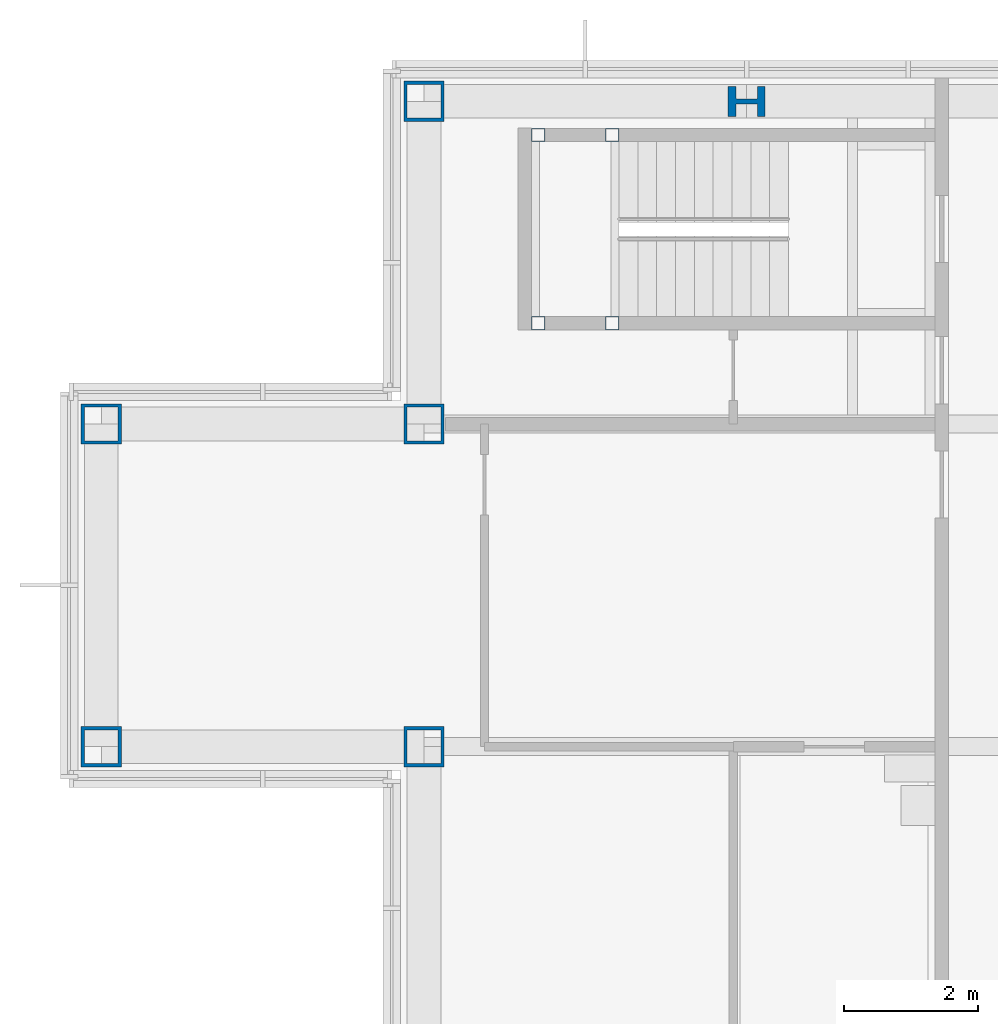
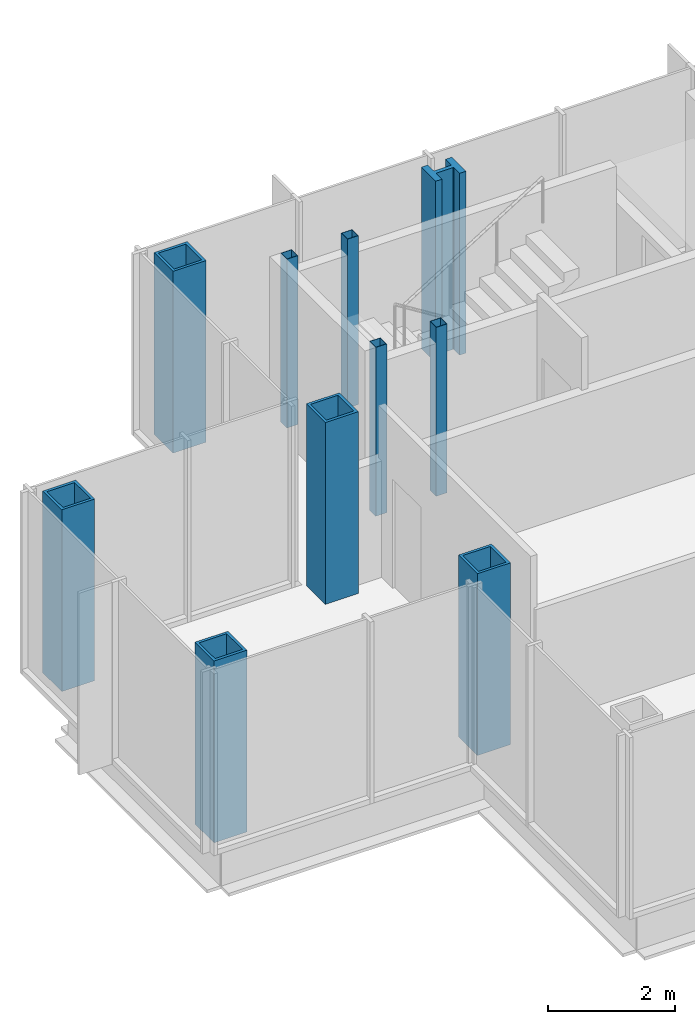
# One storey, part 3 of 15: 10 columns.
"""IFC4 building model written with IfcOpenShell, lengths in metres."""

from ifc_helpers import new_model, si_unit, direction, frame, origin, origin_2d, place, context, subcontext, project, spatial, hollow_rectangle, i_section, extrude, material, material_profile, profile_set, type_object, element, save


model = new_model("IFC4")

# Units and contexts
model_context = context("Model", 3, precision=1e-05, world=origin(), true_north=direction((0.0, 1.0)))
body_context = subcontext(model_context, "Body", "Model", "MODEL_VIEW")
ifc_project = project(units=[si_unit("LENGTHUNIT", "METRE"), si_unit("AREAUNIT", "SQUARE_METRE"), si_unit("VOLUMEUNIT", "CUBIC_METRE"), si_unit("PLANEANGLEUNIT", "RADIAN"), si_unit("MASSUNIT", "GRAM", prefix="KILO")], contexts=[model_context])

# Site, building, storey
site_placement = place(None, origin())
site = spatial("IfcSite", under=ifc_project, at=site_placement, CompositionType="ELEMENT")
building_placement = place(site_placement, origin())
building = spatial("IfcBuilding", under=site, at=building_placement, Name="Kvirike Care Tower", CompositionType="ELEMENT")
storey_placement = place(building_placement, frame((0.0, 0.0, 240.0)))
storey = spatial("IfcBuildingStorey", under=building, at=storey_placement, Name="L66", CompositionType="ELEMENT", Elevation=240.0)

# Columns
ifc_material_1 = material(Name="Steel S460", Category="steel")
ifc_material_profile_1 = material_profile(ifc_material_1, hollow_rectangle(XDim=0.60009765625, YDim=0.60009765625, WallThickness=0.050048828125, at=origin_2d()), Name="BX 600x600x50")
ifc_profile_set_1 = profile_set([ifc_material_profile_1], Name="Steel S460")
column_type_1 = type_object("IfcColumnType", Name="COLUMN BX 600x600x50", PredefinedType="COLUMN", material=ifc_profile_set_1)
for number, where, z_axis, x_axis, name in (
    (1, (0.0, 33.60009765625, 0.0), (0.0, 0.0, 1.0), (0.0, 1.0, 0.0), "Column H3 L66"),
    (2, (0.0, 38.39990234375, 0.0), (0.0, 0.0, 1.0), (0.0, 1.0, 0.0), "Column J3 L66"),
    (3, (4.800048828125, 33.60009765625, 0.0), (0.0, 0.0, 1.0), (0.0, 1.0, 0.0), "Column H4 L66"),
    (4, (4.800048828125, 38.39990234375, 0.0), (0.0, 0.0, 1.0), (0.0, 1.0, 0.0), "Column J4 L66"),
    (5, (4.800048828125, 43.199951171875, 0.0), (0.0, 0.0, 1.0), (0.0, 1.0, 0.0), "Column K4 L66"),
):
    element("IfcColumn", number, at=place(storey_placement, frame(where, z_axis=z_axis, x_axis=x_axis)), inside=storey, type_object=column_type_1, Name=name, PredefinedType="COLUMN", context=body_context, shape_type="SweptSolid", body=[
        extrude(hollow_rectangle(XDim=0.60009765625, YDim=0.60009765625, WallThickness=0.050048828125, at=origin_2d()), origin(), (0.0, 0.0, 1.0), 3.5),
    ])
ifc_material_2 = material(Name="Steel S460", Category="steel")
ifc_material_profile_2 = material_profile(ifc_material_2, i_section(OverallWidth=0.447998046875, OverallDepth=0.550048828125, WebThickness=0.072021484375, FlangeThickness=0.114990234375, FilletRadius=0.014892578125, at=origin_2d()), Name="HD 400x990")
ifc_profile_set_2 = profile_set([ifc_material_profile_2], Name="Steel S460")
column_type_2 = type_object("IfcColumnType", Name="COLUMN HD 400x990", PredefinedType="COLUMN", material=ifc_profile_set_2)
column_placement = place(storey_placement, frame((9.60009765625, 43.199951171875, 0.0), z_axis=(0.0, 0.0, 1.0), x_axis=(0.0, 1.0, 0.0)))
element("IfcColumn", 6, at=column_placement, inside=storey, type_object=column_type_2, Name="Column K5 L66", PredefinedType="COLUMN", context=body_context, shape_type="SweptSolid", body=[
    extrude(i_section(OverallWidth=0.447998046875, OverallDepth=0.550048828125, WebThickness=0.072021484375, FlangeThickness=0.114990234375, FilletRadius=0.014892578125, at=origin_2d()), origin(), (0.0, 0.0, 1.0), 3.5),
])
ifc_material_3 = material(Name="Steel S460", Category="steel")
ifc_material_profile_3 = material_profile(ifc_material_3, hollow_rectangle(XDim=0.199951171875, YDim=0.199951171875, WallThickness=0.008056640625, at=origin_2d()), Name="SHS 200x200x8")
ifc_profile_set_3 = profile_set([ifc_material_profile_3], Name="Steel S460")
column_type_3 = type_object("IfcColumnType", Name="STAIR POST SHS 200x200x8", PredefinedType="COLUMN", material=ifc_profile_set_3)
for number, where, z_axis, x_axis, name in (
    (7, (6.5, 42.699951171875, 0.0), (0.0, 0.0, 1.0), (1.0, 0.0, 0.0), "Stair 1 post 1 L66"),
    (8, (6.5, 39.89990234375, 0.0), (0.0, 0.0, 1.0), (1.0, 0.0, 0.0), "Stair 1 post 2 L66"),
    (9, (7.60009765625, 42.699951171875, 0.0), (0.0, 0.0, 1.0), (1.0, 0.0, 0.0), "Stair 1 post 3 L66"),
    (10, (7.60009765625, 39.89990234375, 0.0), (0.0, 0.0, 1.0), (1.0, 0.0, 0.0), "Stair 1 post 4 L66"),
):
    element("IfcColumn", number, at=place(storey_placement, frame(where, z_axis=z_axis, x_axis=x_axis)), inside=storey, type_object=column_type_3, Name=name, PredefinedType="COLUMN", context=body_context, shape_type="SweptSolid", body=[
        extrude(hollow_rectangle(XDim=0.199951171875, YDim=0.199951171875, WallThickness=0.008056640625, at=origin_2d()), origin(), (0.0, 0.0, 1.0), 3.25),
    ])

save(model, "model.ifc")
